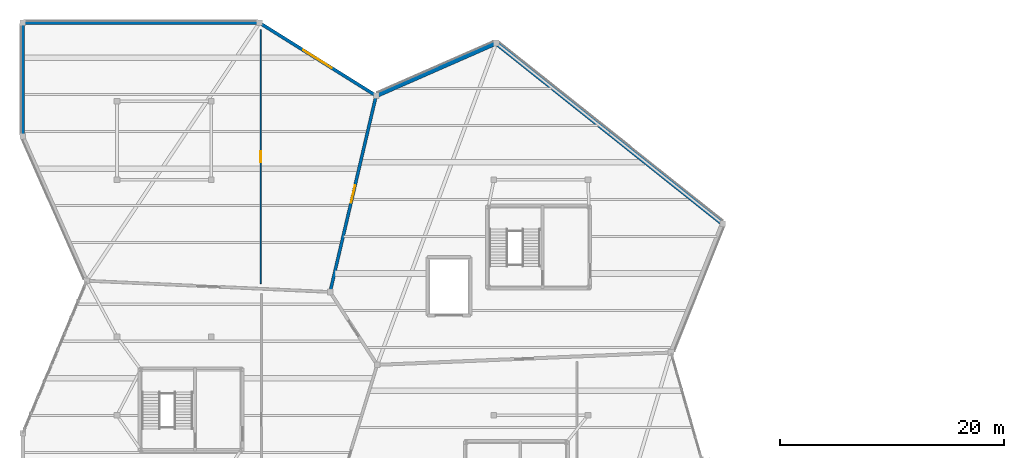
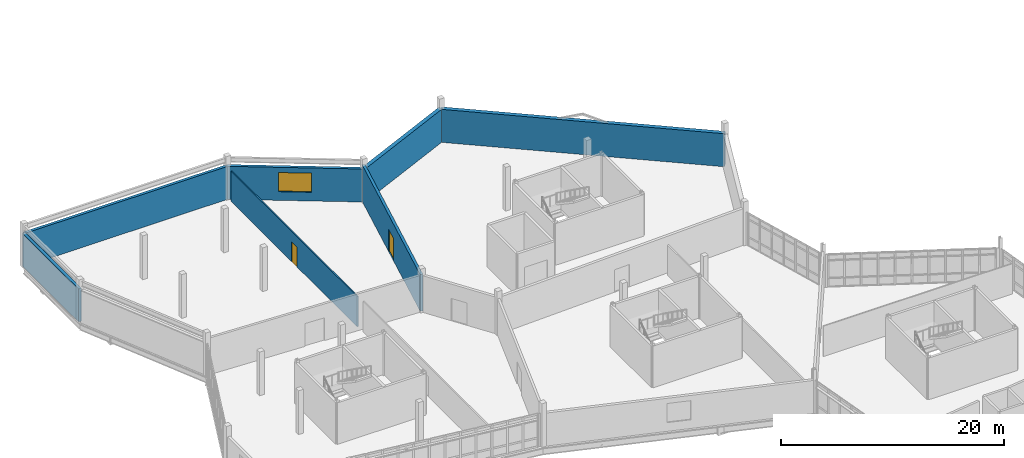
# One storey, part 113 of 134: 7 walls, 2 doors, 1 window, 3 openings.
"""IFC4 building model written with IfcOpenShell, lengths in metres."""

from ifc_helpers import new_model, si_unit, direction, frame, frame_2d, origin, place, context, subcontext, project, spatial, rectangle, extrude, material, layer, layer_set, type_object, element, fill, save


model = new_model("IFC4")

# Units and contexts
model_context = context("Model", 3, precision=1e-05, world=origin(), true_north=direction((0.0, 1.0)))
body_context = subcontext(model_context, "Body", "Model", "MODEL_VIEW")
ifc_project = project(units=[si_unit("LENGTHUNIT", "METRE"), si_unit("AREAUNIT", "SQUARE_METRE"), si_unit("VOLUMEUNIT", "CUBIC_METRE"), si_unit("PLANEANGLEUNIT", "RADIAN"), si_unit("MASSUNIT", "GRAM", prefix="KILO")], contexts=[model_context])

# Site, building, storey
site_placement = place(None, origin())
site = spatial("IfcSite", under=ifc_project, at=site_placement, CompositionType="ELEMENT")
building_placement = place(site_placement, origin())
building = spatial("IfcBuilding", under=site, at=building_placement, Name="Tameran Prism Museum", CompositionType="ELEMENT")
storey_placement = place(building_placement, frame((0.0, 0.0, 5.39990234375)))
storey = spatial("IfcBuildingStorey", under=building, at=storey_placement, Name="L01", CompositionType="ELEMENT", Elevation=5.39990234375)

# Walls
ifc_material_1 = material(Name="Precast Concrete N50 (50 MPa)", Category="concrete")
ifc_layer_1 = layer(ifc_material_1, 0.39990234375)
ifc_layer_set_1 = layer_set([ifc_layer_1])
wall_type_1 = type_object("IfcWallType", Name="EW-ARC-400", PredefinedType="SOLIDWALL", material=ifc_layer_set_1)
wall_1_placement = place(storey_placement, frame((42.199951171875, 110.199951171875, 0.0), z_axis=(0.0, 0.0, 1.0), x_axis=(0.78200261515, -0.623275147827, 0.0)))
element("IfcWall", 1, at=wall_1_placement, inside=storey, type_object=wall_type_1, Name="Exterior Fluted Precast Wall EW-0253", PredefinedType="SOLIDWALL", context=body_context, shape_type="SweptSolid", body=[
    extrude(rectangle(XDim=25.8310546875, YDim=0.39990234375, at=frame_2d((12.91552734375, 0.0))), origin(), (0.0, 0.0, 1.0), 3.6201171875),
])
wall_2_placement = place(storey_placement, frame((31.554931640625, 105.52392578125, 0.0), z_axis=(0.0, 0.0, 1.0), x_axis=(0.915561631163, 0.402177696474, 0.0)))
element("IfcWall", 2, at=wall_2_placement, inside=storey, type_object=wall_type_1, Name="Exterior Fluted Precast Wall EW-0254", PredefinedType="SOLIDWALL", context=body_context, shape_type="SweptSolid", body=[
    extrude(rectangle(XDim=11.626708984375, YDim=0.39990234375, at=frame_2d((5.8134765625, 0.0))), origin(), (0.0, 0.0, 1.0), 3.6201171875),
])

# Wall, opening, window
ifc_material_2 = material(Name="Precast Concrete N40 (40 MPa)", Category="concrete")
ifc_layer_2 = layer(ifc_material_2, 0.2900390625)
ifc_layer_set_2 = layer_set([ifc_layer_2])
wall_type_2 = type_object("IfcWallType", Name="EW-FOY-290", PredefinedType="SOLIDWALL", material=ifc_layer_set_2)
wall_3_placement = place(storey_placement, frame((21.10009765625, 112.0, 0.0), z_axis=(0.0, 0.0, 1.0), x_axis=(0.84799942789, -0.529997141784, 0.0)))
wall_3 = element("IfcWall", 3, at=wall_3_placement, inside=storey, type_object=wall_type_2, Name="Exterior Fluted Precast Wall EW-0260", PredefinedType="SOLIDWALL", context=body_context, shape_type="SweptSolid", body=[
    extrude(rectangle(XDim=12.203857421875, YDim=0.2900390625, at=frame_2d((6.10205078125, 0.0))), origin(), (0.0, 0.0, 1.0), 3.6201171875),
])
opening_1_placement = place(wall_3_placement, frame((4.60205078125, 0.0, 0.949951171875)))
opening_1 = element("IfcOpeningElement", 4, at=opening_1_placement, cuts=wall_3, Name="Opening W-010", PredefinedType="OPENING", context=body_context, shape_type="SweptSolid", body=[
    extrude(rectangle(XDim=3.0, YDim=2.10009765625, at=frame_2d((1.5, 1.050048828125))), frame((0.0, 0.155029296875, 0.0), z_axis=(0.0, -1.0, 0.0), x_axis=(1.0, 0.0, 0.0)), (0.0, 0.0, 1.0), 0.31005859375),
])
ifc_material_3 = material(Name="Cyclone Laminated Low-E Glass in 6063-T6 Frame", Category="glass")
window_type = type_object("IfcWindowType", Name="WIN-W10", PartitioningType="SINGLE_PANEL", PredefinedType="WINDOW", material=ifc_material_3)
window_placement = place(opening_1_placement, origin())
window = element("IfcWindow", 5, at=window_placement, inside=storey, type_object=window_type, Name="Solar-Shaded Window W-010", OverallHeight=2.10009765625, OverallWidth=3.0, PartitioningType="SINGLE_PANEL", PredefinedType="WINDOW", context=body_context, shape_type="SweptSolid", body=[
    extrude(rectangle(XDim=3.0, YDim=2.10009765625, at=frame_2d((1.5, 1.050048828125))), frame((0.0, 0.030029296875, 0.0), z_axis=(0.0, -1.0, 0.0), x_axis=(1.0, 0.0, 0.0)), (0.0, 0.0, 1.0), 0.06005859375),
])
fill(opening_1, window)

# Walls
wall_4_placement = place(storey_placement, frame((0.0, 112.0, 0.0), z_axis=(0.0, 0.0, 1.0), x_axis=(1.0, 0.0, 0.0)))
element("IfcWall", 6, at=wall_4_placement, inside=storey, type_object=wall_type_2, Name="Exterior Fluted Precast Wall EW-0261", PredefinedType="SOLIDWALL", context=body_context, shape_type="SweptSolid", body=[
    extrude(rectangle(XDim=21.10009765625, YDim=0.2900390625, at=frame_2d((10.550048828125, 0.0))), origin(), (0.0, 0.0, 1.0), 3.6201171875),
])
wall_5_placement = place(storey_placement, frame((0.0, 101.89990234375, 0.0), z_axis=(0.0, 0.0, 1.0), x_axis=(0.0, 1.0, 0.0)))
element("IfcWall", 7, at=wall_5_placement, inside=storey, type_object=wall_type_2, Name="Exterior Fluted Precast Wall EW-0262", PredefinedType="SOLIDWALL", context=body_context, shape_type="SweptSolid", body=[
    extrude(rectangle(XDim=10.10009765625, YDim=0.2900390625, at=frame_2d((5.050048828125, 0.0))), origin(), (0.0, 0.0, 1.0), 3.6201171875),
])

# Wall, opening, door
ifc_material_4 = material(Name="Concrete N40 (40 MPa)", Category="concrete")
ifc_layer_3 = layer(ifc_material_4, 0.27490234375)
ifc_layer_set_3 = layer_set([ifc_layer_3])
wall_type_3 = type_object("IfcWallType", Name="IW-CMP-275", PredefinedType="SOLIDWALL", material=ifc_layer_set_3)
wall_6_placement = place(storey_placement, frame((31.5, 105.5, 0.0), z_axis=(0.0, 0.0, 1.0), x_axis=(-0.228114067381, -0.973634414071, 0.0)))
wall_6 = element("IfcWall", 8, at=wall_6_placement, inside=storey, type_object=wall_type_3, Name="Compartment Wall IW-0097", PredefinedType="SOLIDWALL", context=body_context, shape_type="SweptSolid", body=[
    extrude(rectangle(XDim=17.973876953125, YDim=0.27490234375, at=frame_2d((8.98681640625, 0.0))), origin(), (0.0, 0.0, 1.0), 4.02001953125),
])
opening_2_placement = place(wall_6_placement, frame((8.18701171875, 0.0, 0.0)))
opening_2 = element("IfcOpeningElement", 9, at=opening_2_placement, cuts=wall_6, Name="Opening ID-0096", PredefinedType="OPENING", context=body_context, shape_type="SweptSolid", body=[
    extrude(rectangle(XDim=1.60009765625, YDim=2.449951171875, at=frame_2d((0.800048828125, 1.22509765625))), frame((0.0, 0.1474609375, 0.0), z_axis=(0.0, -1.0, 0.0), x_axis=(1.0, 0.0, 0.0)), (0.0, 0.0, 1.0), 0.294921875),
])
ifc_material_5 = material(Name="Fire-Rated Steel Door Leaf and Frame", Category="steel")
door_type_1 = type_object("IfcDoorType", Name="DR-FD-240", OperationType="DOUBLE_DOOR_SINGLE_SWING", PredefinedType="DOOR", material=ifc_material_5)
door_1_placement = place(opening_2_placement, origin())
door_1 = element("IfcDoor", 10, at=door_1_placement, inside=storey, type_object=door_type_1, Name="Compartment Door ID-0096", OperationType="DOUBLE_DOOR_SINGLE_SWING", OverallHeight=2.449951171875, OverallWidth=1.60009765625, PredefinedType="DOOR", context=body_context, shape_type="SweptSolid", body=[
    extrude(rectangle(XDim=1.60009765625, YDim=2.449951171875, at=frame_2d((0.800048828125, 1.22509765625))), frame((0.0, 0.02490234375, 0.0), z_axis=(0.0, -1.0, 0.0), x_axis=(1.0, 0.0, 0.0)), (0.0, 0.0, 1.0), 0.050048828125),
])
fill(opening_2, door_1)

ifc_material_6 = material(Name="Office Insulated Stud Partition")
ifc_layer_4 = layer(ifc_material_6, 0.1201171875)
ifc_layer_set_4 = layer_set([ifc_layer_4])
wall_type_4 = type_object("IfcWallType", Name="IW-PRT-120", PredefinedType="PARTITIONING", material=ifc_layer_set_4)
wall_7_placement = place(storey_placement, frame((21.216064453125, 88.735107421875, 0.0), z_axis=(0.0, 0.0, 1.0), x_axis=(0.0, 1.0, 0.0)))
wall_7 = element("IfcWall", 11, at=wall_7_placement, inside=storey, type_object=wall_type_4, Name="Internal Partition PT-0110", PredefinedType="PARTITIONING", context=body_context, shape_type="SweptSolid", body=[
    extrude(rectangle(XDim=22.661865234375, YDim=0.1201171875, at=frame_2d((11.3310546875, 0.0))), origin(), (0.0, 0.0, 1.0), 3.320068359375),
])
opening_3_placement = place(wall_7_placement, frame((10.841064453125, 0.0, 0.0)))
opening_3 = element("IfcOpeningElement", 12, at=opening_3_placement, cuts=wall_7, Name="Opening ID-0109", PredefinedType="OPENING", context=body_context, shape_type="SweptSolid", body=[
    extrude(rectangle(XDim=0.97998046875, YDim=2.14990234375, at=frame_2d((0.489990234375, 1.074951171875))), frame((0.0, 0.070068359375, 0.0), z_axis=(0.0, -1.0, 0.0), x_axis=(1.0, 0.0, 0.0)), (0.0, 0.0, 1.0), 0.14013671875),
])
ifc_material_7 = material(Name="Acoustic Solid-Core Timber Door", Category="wood")
door_type_2 = type_object("IfcDoorType", Name="DR-INT-098", OperationType="NOTDEFINED", PredefinedType="DOOR", material=ifc_material_7)
door_2_placement = place(opening_3_placement, origin())
door_2 = element("IfcDoor", 13, at=door_2_placement, inside=storey, type_object=door_type_2, Name="Interior Room Door ID-0109", OperationType="SINGLE_SWING_RIGHT", OverallHeight=2.14990234375, OverallWidth=0.97998046875, PredefinedType="DOOR", context=body_context, shape_type="SweptSolid", body=[
    extrude(rectangle(XDim=0.97998046875, YDim=2.14990234375, at=frame_2d((0.489990234375, 1.074951171875))), frame((0.0, 0.02490234375, 0.0), z_axis=(0.0, -1.0, 0.0), x_axis=(1.0, 0.0, 0.0)), (0.0, 0.0, 1.0), 0.050048828125),
])
fill(opening_3, door_2)

save(model, "model.ifc")
